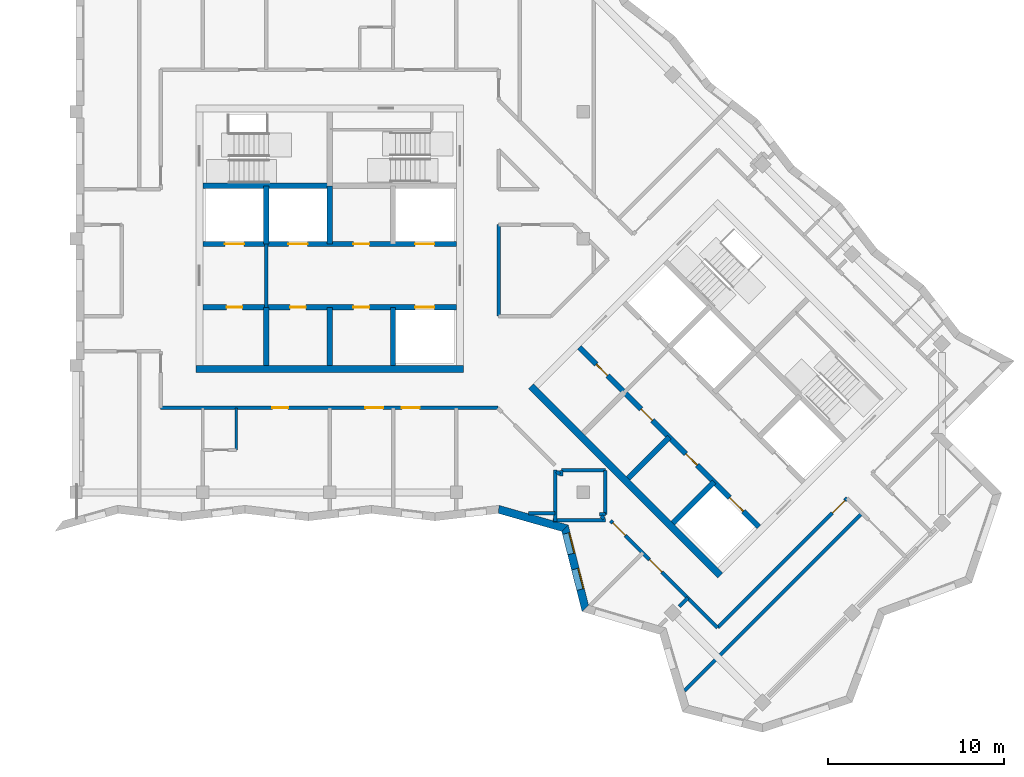
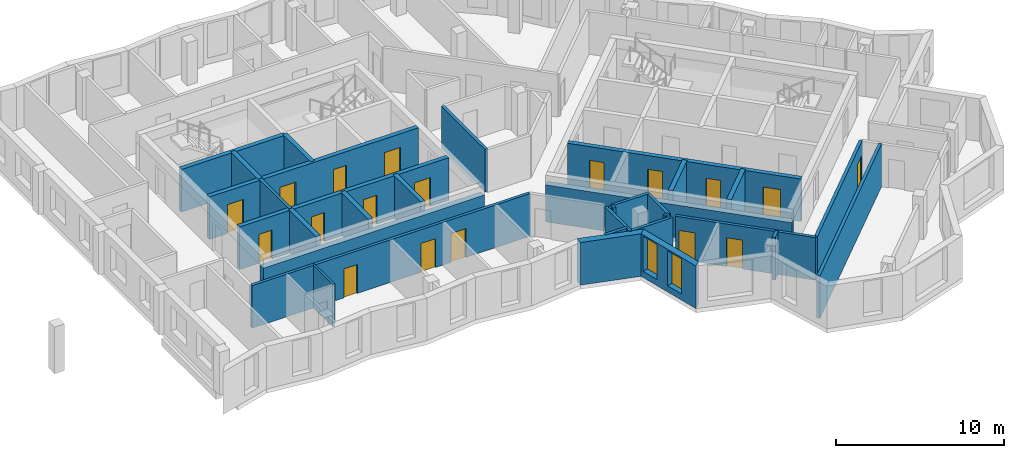
# One storey, part 3 of 12: 32 walls, 18 doors, 2 windows, 20 openings.
"""IFC4 building model written with IfcOpenShell, lengths in metres."""

from ifc_helpers import new_model, si_unit, direction, frame, frame_2d, origin, place, context, subcontext, project, spatial, polyline, rectangle, outline, extrude, material, layer, layer_set, type_object, element, fill, save


model = new_model("IFC4")

# Units and contexts
model_context = context("Model", 3, precision=1e-05, world=origin(), true_north=direction((0.0, 1.0)))
body_context = subcontext(model_context, "Body", "Model", "MODEL_VIEW")
ifc_project = project(units=[si_unit("LENGTHUNIT", "METRE"), si_unit("AREAUNIT", "SQUARE_METRE"), si_unit("VOLUMEUNIT", "CUBIC_METRE"), si_unit("PLANEANGLEUNIT", "RADIAN"), si_unit("MASSUNIT", "GRAM", prefix="KILO")], contexts=[model_context])

# Site, building, storey
site_placement = place(None, origin())
site = spatial("IfcSite", under=ifc_project, at=site_placement, CompositionType="ELEMENT")
building_placement = place(site_placement, origin())
building = spatial("IfcBuilding", under=site, at=building_placement, Name="Windrow Commons", CompositionType="ELEMENT")
storey_placement = place(building_placement, frame((0.0, 0.0, 257.4)))
storey = spatial("IfcBuildingStorey", under=building, at=storey_placement, Name="L70", CompositionType="ELEMENT", Elevation=257.4)

# Wall
ifc_material_1 = material(Name="Brick masonry, red clay brick", Category="masonry")
ifc_layer_1 = layer(ifc_material_1, 0.45)
ifc_layer_set_1 = layer_set([ifc_layer_1], Name="Brick facade wall 450")
wall_type_1 = type_object("IfcWallType", Name="Brick facade wall 450", PredefinedType="SOLIDWALL", material=ifc_layer_set_1)
wall_1_placement = place(storey_placement, frame((74.3981, 42.2287, 0.0), z_axis=(0.0, 0.0, 1.0), x_axis=(0.961995937, -0.2730637604, 0.0)))
element("IfcWall", 1, at=wall_1_placement, inside=storey, type_object=wall_type_1, Name="Brick facade wall L70 45", PredefinedType="SOLIDWALL", context=body_context, shape_type="SweptSolid", body=[
    extrude(outline(polyline([(0.0448, -0.225), (3.784, -0.225), (4.0434, 0.225), (-0.0448, 0.225), (0.0448, -0.225)])), origin(), (0.0, 0.0, 1.0), 3.1),
])

# Wall, openings, windows
wall_2_placement = place(storey_placement, frame((78.1631, 41.16, 0.0), z_axis=(0.0, 0.0, 1.0), x_axis=(0.2459778521, -0.9692754491, 0.0)))
wall_2 = element("IfcWall", 2, at=wall_2_placement, inside=storey, type_object=wall_type_1, Name="Brick facade wall L70 46", PredefinedType="SOLIDWALL", context=body_context, shape_type="SweptSolid", body=[
    extrude(outline(polyline([(0.1297, -0.225), (4.8223, -0.225), (4.5657, 0.225), (-0.1297, 0.225), (0.1297, -0.225)])), origin(), (0.0, 0.0, 1.0), 3.1),
])
opening_1_placement = place(wall_2_placement, frame((0.3047, 0.0, 0.45)))
opening_1 = element("IfcOpeningElement", 3, at=opening_1_placement, cuts=wall_2, Name="Opening W7F", PredefinedType="OPENING", context=body_context, shape_type="SweptSolid", body=[
    extrude(rectangle(XDim=1.2, YDim=2.55, at=frame_2d((0.6, 1.275))), frame((0.0, 0.235, 0.0), z_axis=(0.0, -1.0, 0.0), x_axis=(1.0, 0.0, 0.0)), (0.0, 0.0, 1.0), 0.47),
])
opening_2_placement = place(wall_2_placement, frame((2.3876, 0.0, 0.45)))
opening_2 = element("IfcOpeningElement", 4, at=opening_2_placement, cuts=wall_2, Name="Opening W7F", PredefinedType="OPENING", context=body_context, shape_type="SweptSolid", body=[
    extrude(rectangle(XDim=1.2, YDim=2.55, at=frame_2d((0.6, 1.275))), frame((0.0, 0.235, 0.0), z_axis=(0.0, -1.0, 0.0), x_axis=(1.0, 0.0, 0.0)), (0.0, 0.0, 1.0), 0.47),
])
ifc_material_2 = material(Name="Clear float glass in anodised aluminium frame", Category="aluminium")
window_type = type_object("IfcWindowType", Name="Window W7 notch 1200x2550", PartitioningType="SINGLE_PANEL", PredefinedType="WINDOW", material=ifc_material_2)
window_1_placement = place(opening_1_placement, origin())
window_1 = element("IfcWindow", 5, at=window_1_placement, inside=storey, type_object=window_type, Name="Window L70 46.1", OverallHeight=2.55, OverallWidth=1.2, PartitioningType="SINGLE_PANEL", PredefinedType="WINDOW", context=body_context, shape_type="SweptSolid", body=[
    extrude(rectangle(XDim=1.2, YDim=2.55, at=frame_2d((0.6, 1.275))), frame((0.0, 0.205, 0.0), z_axis=(0.0, -1.0, 0.0), x_axis=(1.0, 0.0, 0.0)), (0.0, 0.0, 1.0), 0.06),
])
fill(opening_1, window_1)
window_2_placement = place(opening_2_placement, origin())
window_2 = element("IfcWindow", 6, at=window_2_placement, inside=storey, type_object=window_type, Name="Window L70 46.2", OverallHeight=2.55, OverallWidth=1.2, PartitioningType="SINGLE_PANEL", PredefinedType="WINDOW", context=body_context, shape_type="SweptSolid", body=[
    extrude(rectangle(XDim=1.2, YDim=2.55, at=frame_2d((0.6, 1.275))), frame((0.0, 0.205, 0.0), z_axis=(0.0, -1.0, 0.0), x_axis=(1.0, 0.0, 0.0)), (0.0, 0.0, 1.0), 0.06),
])
fill(opening_2, window_2)

# Wall
ifc_material_3 = material(Name="Blockwork partition", Category="masonry")
ifc_layer_2 = layer(ifc_material_3, 0.2)
ifc_layer_set_2 = layer_set([ifc_layer_2], Name="Fire lobby partition 200")
wall_type_2 = type_object("IfcWallType", Name="Fire lobby partition 200", PredefinedType="PARTITIONING", material=ifc_layer_set_2)
wall_3_placement = place(storey_placement, frame((61.2, 53.7, 0.0), z_axis=(0.0, 0.0, 1.0), x_axis=(0.0, 1.0, 0.0)))
element("IfcWall", 7, at=wall_3_placement, inside=storey, type_object=wall_type_2, Name="W-core-lobby-A-L70", PredefinedType="PARTITIONING", context=body_context, shape_type="SweptSolid", body=[
    extrude(rectangle(XDim=3.6, YDim=0.2, at=frame_2d((1.8, 0.0))), origin(), (0.0, 0.0, 1.0), 3.1),
])

# Wall, openings, doors
ifc_material_4 = material(Name="Blockwork partition", Category="masonry")
ifc_layer_3 = layer(ifc_material_4, 0.2)
ifc_layer_set_3 = layer_set([ifc_layer_3], Name="IW-CORRIDOR-200")
wall_type_3 = type_object("IfcWallType", Name="IW-CORRIDOR-200", PredefinedType="PARTITIONING", material=ifc_layer_set_3)
wall_4_placement = place(storey_placement, frame((55.2, 48.0, 0.0), z_axis=(0.0, 0.0, 1.0), x_axis=(1.0, 0.0, 0.0)))
wall_4 = element("IfcWall", 8, at=wall_4_placement, inside=storey, type_object=wall_type_3, Name="W-L70-W001", PredefinedType="PARTITIONING", context=body_context, shape_type="SweptSolid", body=[
    extrude(rectangle(XDim=19.15, YDim=0.2, at=frame_2d((9.575, 0.0))), origin(), (0.0, 0.0, 1.0), 3.1),
])
opening_3_placement = place(wall_4_placement, frame((6.3434, 0.0, 0.0)))
opening_3 = element("IfcOpeningElement", 9, at=opening_3_placement, cuts=wall_4, Name="Opening D109F", PredefinedType="OPENING", context=body_context, shape_type="SweptSolid", body=[
    extrude(rectangle(XDim=0.9, YDim=2.1, at=frame_2d((0.45, 1.05))), frame((0.0, 0.11, 0.0), z_axis=(0.0, -1.0, 0.0), x_axis=(1.0, 0.0, 0.0)), (0.0, 0.0, 1.0), 0.22),
])
opening_4_placement = place(wall_4_placement, frame((11.6325, 0.0, 0.0)))
opening_4 = element("IfcOpeningElement", 10, at=opening_4_placement, cuts=wall_4, Name="Opening D310F", PredefinedType="OPENING", context=body_context, shape_type="SweptSolid", body=[
    extrude(rectangle(XDim=1.0, YDim=2.1, at=frame_2d((0.5, 1.05))), frame((0.0, 0.11, 0.0), z_axis=(0.0, -1.0, 0.0), x_axis=(1.0, 0.0, 0.0)), (0.0, 0.0, 1.0), 0.22),
])
opening_5_placement = place(wall_4_placement, frame((13.7075, 0.0, 0.0)))
opening_5 = element("IfcOpeningElement", 11, at=opening_5_placement, cuts=wall_4, Name="Opening D310F", PredefinedType="OPENING", context=body_context, shape_type="SweptSolid", body=[
    extrude(rectangle(XDim=1.0, YDim=2.1, at=frame_2d((0.5, 1.05))), frame((0.0, 0.11, 0.0), z_axis=(0.0, -1.0, 0.0), x_axis=(1.0, 0.0, 0.0)), (0.0, 0.0, 1.0), 0.22),
])
ifc_material_5 = material(Name="Timber door leaf", Category="wood")
door_type_1 = type_object("IfcDoorType", Name="DT-AMENITY-1000", OperationType="SINGLE_SWING_LEFT", PredefinedType="DOOR", material=ifc_material_5)
door_1_placement = place(opening_4_placement, origin())
door_1 = element("IfcDoor", 12, at=door_1_placement, inside=storey, type_object=door_type_1, Name="D-L70-D004", OperationType="SINGLE_SWING_LEFT", OverallHeight=2.1, OverallWidth=1.0, PredefinedType="DOOR", context=body_context, shape_type="SweptSolid", body=[
    extrude(rectangle(XDim=1.0, YDim=2.1, at=frame_2d((0.5, 1.05))), frame((0.0, 0.025, 0.0), z_axis=(0.0, -1.0, 0.0), x_axis=(1.0, 0.0, 0.0)), (0.0, 0.0, 1.0), 0.05),
])
fill(opening_4, door_1)
door_2_placement = place(opening_5_placement, origin())
door_2 = element("IfcDoor", 13, at=door_2_placement, inside=storey, type_object=door_type_1, Name="D-L70-D005", OperationType="SINGLE_SWING_RIGHT", OverallHeight=2.1, OverallWidth=1.0, PredefinedType="DOOR", context=body_context, shape_type="SweptSolid", body=[
    extrude(rectangle(XDim=1.0, YDim=2.1, at=frame_2d((0.5, 1.05))), frame((0.0, 0.025, 0.0), z_axis=(0.0, -1.0, 0.0), x_axis=(1.0, 0.0, 0.0)), (0.0, 0.0, 1.0), 0.05),
])
fill(opening_5, door_2)
ifc_material_6 = material(Name="Timber door leaf", Category="wood")
door_type_2 = type_object("IfcDoorType", Name="DT-BEDROOM-900", OperationType="SINGLE_SWING_LEFT", PredefinedType="DOOR", material=ifc_material_6)
door_3_placement = place(opening_3_placement, origin())
door_3 = element("IfcDoor", 14, at=door_3_placement, inside=storey, type_object=door_type_2, Name="D-L70-D002", OperationType="SINGLE_SWING_LEFT", OverallHeight=2.1, OverallWidth=0.9, PredefinedType="DOOR", context=body_context, shape_type="SweptSolid", body=[
    extrude(rectangle(XDim=0.9, YDim=2.1, at=frame_2d((0.45, 1.05))), frame((0.0, 0.025, 0.0), z_axis=(0.0, -1.0, 0.0), x_axis=(1.0, 0.0, 0.0)), (0.0, 0.0, 1.0), 0.05),
])
fill(opening_3, door_3)

# Wall, opening, door
wall_5_placement = place(storey_placement, frame((86.8359, 35.5141, 0.0), z_axis=(0.0, 0.0, 1.0), x_axis=(0.7071067812, 0.7071067812, 0.0)))
wall_5 = element("IfcWall", 15, at=wall_5_placement, inside=storey, type_object=wall_type_3, Name="W-L70-W006", PredefinedType="PARTITIONING", context=body_context, shape_type="SweptSolid", body=[
    extrude(rectangle(XDim=10.4001, YDim=0.2, at=frame_2d((5.2001, 0.0))), origin(), (0.0, 0.0, 1.0), 3.1),
])
opening_6_placement = place(wall_5_placement, frame((9.2073, 0.0, 0.0)))
opening_6 = element("IfcOpeningElement", 16, at=opening_6_placement, cuts=wall_5, Name="Opening D310F", PredefinedType="OPENING", context=body_context, shape_type="SweptSolid", body=[
    extrude(rectangle(XDim=1.0, YDim=2.1, at=frame_2d((0.5, 1.05))), frame((0.0, 0.11, 0.0), z_axis=(0.0, -1.0, 0.0), x_axis=(1.0, 0.0, 0.0)), (0.0, 0.0, 1.0), 0.22),
])
door_4_placement = place(opening_6_placement, origin())
door_4 = element("IfcDoor", 17, at=door_4_placement, inside=storey, type_object=door_type_1, Name="D-L70-D027", OperationType="SINGLE_SWING_RIGHT", OverallHeight=2.1, OverallWidth=1.0, PredefinedType="DOOR", context=body_context, shape_type="SweptSolid", body=[
    extrude(rectangle(XDim=1.0, YDim=2.1, at=frame_2d((0.5, 1.05))), frame((0.0, 0.025, 0.0), z_axis=(0.0, -1.0, 0.0), x_axis=(1.0, 0.0, 0.0)), (0.0, 0.0, 1.0), 0.05),
])
fill(opening_6, door_4)

# Wall, openings, doors
wall_6_placement = place(storey_placement, frame((80.7468, 41.5968, 0.0), z_axis=(0.0, 0.0, 1.0), x_axis=(0.7071067812, -0.7071067812, 0.0)))
wall_6 = element("IfcWall", 18, at=wall_6_placement, inside=storey, type_object=wall_type_3, Name="W-L70-W009", PredefinedType="PARTITIONING", context=body_context, shape_type="SweptSolid", body=[
    extrude(rectangle(XDim=8.6069, YDim=0.2, at=frame_2d((4.3034, 0.0))), origin(), (0.0, 0.0, 1.0), 3.1),
])
opening_7_placement = place(wall_6_placement, frame((0.1948, 0.0, 0.0)))
opening_7 = element("IfcOpeningElement", 19, at=opening_7_placement, cuts=wall_6, Name="Opening D310F", PredefinedType="OPENING", context=body_context, shape_type="SweptSolid", body=[
    extrude(rectangle(XDim=1.0, YDim=2.1, at=frame_2d((0.5, 1.05))), frame((0.0, 0.11, 0.0), z_axis=(0.0, -1.0, 0.0), x_axis=(1.0, 0.0, 0.0)), (0.0, 0.0, 1.0), 0.22),
])
opening_8_placement = place(wall_6_placement, frame((3.1329, 0.0, 0.0)))
opening_8 = element("IfcOpeningElement", 20, at=opening_8_placement, cuts=wall_6, Name="Opening D410F", PredefinedType="OPENING", context=body_context, shape_type="SweptSolid", body=[
    extrude(rectangle(XDim=1.0, YDim=2.1, at=frame_2d((0.5, 1.05))), frame((0.0, 0.11, 0.0), z_axis=(0.0, -1.0, 0.0), x_axis=(1.0, 0.0, 0.0)), (0.0, 0.0, 1.0), 0.22),
])
door_5_placement = place(opening_7_placement, origin())
door_5 = element("IfcDoor", 21, at=door_5_placement, inside=storey, type_object=door_type_1, Name="D-L70-D025", OperationType="SINGLE_SWING_LEFT", OverallHeight=2.1, OverallWidth=1.0, PredefinedType="DOOR", context=body_context, shape_type="SweptSolid", body=[
    extrude(rectangle(XDim=1.0, YDim=2.1, at=frame_2d((0.5, 1.05))), frame((0.0, 0.025, 0.0), z_axis=(0.0, -1.0, 0.0), x_axis=(1.0, 0.0, 0.0)), (0.0, 0.0, 1.0), 0.05),
])
fill(opening_7, door_5)
ifc_material_7 = material(Name="Timber door leaf", Category="wood")
door_type_3 = type_object("IfcDoorType", Name="DT-SERVICE-1000", OperationType="SINGLE_SWING_LEFT", PredefinedType="DOOR", material=ifc_material_7)
door_6_placement = place(opening_8_placement, origin())
door_6 = element("IfcDoor", 22, at=door_6_placement, inside=storey, type_object=door_type_3, Name="D-L70-D026", OperationType="SINGLE_SWING_LEFT", OverallHeight=2.1, OverallWidth=1.0, PredefinedType="DOOR", context=body_context, shape_type="SweptSolid", body=[
    extrude(rectangle(XDim=1.0, YDim=2.1, at=frame_2d((0.5, 1.05))), frame((0.0, 0.025, 0.0), z_axis=(0.0, -1.0, 0.0), x_axis=(1.0, 0.0, 0.0)), (0.0, 0.0, 1.0), 0.05),
])
fill(opening_8, door_6)

# Walls
wall_7_placement = place(storey_placement, frame((74.4, 53.202, 0.0), z_axis=(0.0, 0.0, 1.0), x_axis=(0.0, 1.0, 0.0)))
element("IfcWall", 23, at=wall_7_placement, inside=storey, type_object=wall_type_3, Name="W-L70-W019", PredefinedType="PARTITIONING", context=body_context, shape_type="SweptSolid", body=[
    extrude(rectangle(XDim=5.198, YDim=0.2, at=frame_2d((2.599, 0.0))), origin(), (0.0, 0.0, 1.0), 3.1),
])
for number, where, z_axis, x_axis, name in (
    (24, (80.45, 41.952, 0.0), (0.0, 0.0, 1.0), (0.0, 1.0, 0.0), "W-L70-W046"),
    (25, (77.952, 44.45, 0.0), (0.0, 0.0, 1.0), (1.0, 0.0, 0.0), "W-L70-W047"),
):
    element("IfcWall", number, at=place(storey_placement, frame(where, z_axis=z_axis, x_axis=x_axis)), inside=storey, type_object=wall_type_3, Name=name, PredefinedType="PARTITIONING", context=body_context, shape_type="SweptSolid", body=[
        extrude(rectangle(XDim=2.498, YDim=0.2, at=frame_2d((1.249, 0.0))), origin(), (0.0, 0.0, 1.0), 3.1),
    ])
for number, where, z_axis, x_axis, name in (
    (26, (80.2205, 41.8545, 0.0), (0.0, 0.0, 1.0), (0.7068844555, -0.707329037, 0.0), "W-L70-W092"),
    (27, (77.6954, 44.3795, 0.0), (0.0, 0.0, 1.0), (0.707329037, -0.7068844555, 0.0), "W-L70-W093"),
):
    element("IfcWall", number, at=place(storey_placement, frame(where, z_axis=z_axis, x_axis=x_axis)), inside=storey, type_object=wall_type_3, Name=name, PredefinedType="PARTITIONING", context=body_context, shape_type="SweptSolid", body=[
        extrude(rectangle(XDim=0.2249, YDim=0.2, at=frame_2d((0.1124, 0.0))), origin(), (0.0, 0.0, 1.0), 3.1),
    ])
for number, where, z_axis, x_axis, name in (
    (28, (80.118, 41.95, 0.0), (0.0, 0.0, 1.0), (1.0, 0.0, 0.0), "W-L70-W102"),
    (29, (77.95, 44.118, 0.0), (0.0, 0.0, 1.0), (0.0, 1.0, 0.0), "W-L70-W103"),
):
    element("IfcWall", number, at=place(storey_placement, frame(where, z_axis=z_axis, x_axis=x_axis)), inside=storey, type_object=wall_type_3, Name=name, PredefinedType="PARTITIONING", context=body_context, shape_type="SweptSolid", body=[
        extrude(rectangle(XDim=0.332, YDim=0.2, at=frame_2d((0.166, 0.0))), origin(), (0.0, 0.0, 1.0), 3.1),
    ])
ifc_material_8 = material(Name="Blockwork partition", Category="masonry")
ifc_layer_4 = layer(ifc_material_8, 0.15)
ifc_layer_set_4 = layer_set([ifc_layer_4], Name="IW-ENSUITE-150")
wall_type_4 = type_object("IfcWallType", Name="IW-ENSUITE-150", PredefinedType="PARTITIONING", material=ifc_layer_set_4)
wall_8_placement = place(storey_placement, frame((59.5, 45.6, 0.0), z_axis=(0.0, 0.0, 1.0), x_axis=(0.0, 1.0, 0.0)))
element("IfcWall", 30, at=wall_8_placement, inside=storey, type_object=wall_type_4, Name="W-L70-W049", PredefinedType="PARTITIONING", context=body_context, shape_type="SweptSolid", body=[
    extrude(rectangle(XDim=2.4, YDim=0.15, at=frame_2d((1.2, 0.0))), origin(), (0.0, 0.0, 1.0), 3.1),
])
ifc_material_9 = material(Name="Blockwork partition", Category="masonry")
ifc_layer_5 = layer(ifc_material_9, 0.2)
ifc_layer_set_5 = layer_set([ifc_layer_5], Name="IW-PARTY-200")
wall_type_5 = type_object("IfcWallType", Name="IW-PARTY-200", PredefinedType="PARTITIONING", material=ifc_layer_set_5)
wall_9_placement = place(storey_placement, frame((84.9488, 31.9324, 0.0), z_axis=(0.0, 0.0, 1.0), x_axis=(0.7071768688, 0.7070366866, 0.0)))
element("IfcWall", 31, at=wall_9_placement, inside=storey, type_object=wall_type_5, Name="W-L70-W002", PredefinedType="PARTITIONING", context=body_context, shape_type="SweptSolid", body=[
    extrude(rectangle(XDim=14.2672, YDim=0.2, at=frame_2d((7.1336, 0.0))), origin(), (0.0, 0.0, 1.0), 3.1),
])
wall_10_placement = place(storey_placement, frame((77.4871, 41.6, 0.0), z_axis=(0.0, 0.0, 1.0), x_axis=(1.0, 0.0, 0.0)))
element("IfcWall", 32, at=wall_10_placement, inside=storey, type_object=wall_type_5, Name="W-L70-W038", PredefinedType="PARTITIONING", context=body_context, shape_type="SweptSolid", body=[
    extrude(rectangle(XDim=2.9809, YDim=0.2, at=frame_2d((1.4905, 0.0))), origin(), (0.0, 0.0, 1.0), 3.1),
])
wall_11_placement = place(storey_placement, frame((77.6, 41.5538, 0.0), z_axis=(0.0, 0.0, 1.0), x_axis=(0.0, 1.0, 0.0)))
element("IfcWall", 33, at=wall_11_placement, inside=storey, type_object=wall_type_5, Name="W-L70-W044", PredefinedType="PARTITIONING", context=body_context, shape_type="SweptSolid", body=[
    extrude(rectangle(XDim=2.9142, YDim=0.2, at=frame_2d((1.4571, 0.0))), origin(), (0.0, 0.0, 1.0), 3.1),
])
wall_12_placement = place(storey_placement, frame((76.0778, 42.0, 0.0), z_axis=(0.0, 0.0, 1.0), x_axis=(1.0, 0.0, 0.0)))
element("IfcWall", 34, at=wall_12_placement, inside=storey, type_object=wall_type_5, Name="W-L70-W072", PredefinedType="PARTITIONING", context=body_context, shape_type="SweptSolid", body=[
    extrude(rectangle(XDim=1.5222, YDim=0.2, at=frame_2d((0.7611, 0.0))), origin(), (0.0, 0.0, 1.0), 3.1),
])
wall_13_placement = place(storey_placement, frame((84.6408, 36.7132, 0.0), z_axis=(0.0, 0.0, 1.0), x_axis=(0.7071067812, 0.7071067812, 0.0)))
element("IfcWall", 35, at=wall_13_placement, inside=storey, type_object=wall_type_5, Name="W-L70-W083", PredefinedType="PARTITIONING", context=body_context, shape_type="SweptSolid", body=[
    extrude(rectangle(XDim=0.7043, YDim=0.2, at=frame_2d((0.3522, 0.0))), origin(), (0.0, 0.0, 1.0), 3.1),
])
ifc_material_10 = material(Name="Concrete C40/50", Category="concrete")
ifc_layer_6 = layer(ifc_material_10, 0.4)
ifc_layer_set_6 = layer_set([ifc_layer_6], Name="RC CORE WALL 400 C40/50")
wall_type_6 = type_object("IfcWallType", Name="RC CORE WALL 400 C40/50", PredefinedType="SHEAR", material=ifc_layer_set_6)
for number, where, z_axis, x_axis, name in (
    (36, (57.2, 50.2, -0.3), (0.0, 0.0, 1.0), (1.0, 0.0, 0.0), "Core A wall outer-S"),
    (37, (76.2302, 49.2312, -0.3), (0.0, 0.0, 1.0), (0.7071034917, -0.7071100706, 0.0), "Core B wall outer-S"),
):
    element("IfcWall", number, at=place(storey_placement, frame(where, z_axis=z_axis, x_axis=x_axis)), inside=storey, type_object=wall_type_6, Name=name, PredefinedType="SHEAR", context=body_context, shape_type="SweptSolid", body=[
        extrude(rectangle(XDim=15.2, YDim=0.4, at=frame_2d((7.6, 0.0))), origin(), (0.0, 0.0, 1.0), 2.7),
    ])
ifc_material_11 = material(Name="Concrete C40/50", Category="concrete")
ifc_layer_7 = layer(ifc_material_11, 0.3)
ifc_layer_set_7 = layer_set([ifc_layer_7], Name="RC SHAFT WALL 300 C40/50")
wall_type_7 = type_object("IfcWallType", Name="RC SHAFT WALL 300 C40/50", PredefinedType="SOLIDWALL", material=ifc_layer_set_7)
for number, where, z_axis, x_axis, name in (
    (38, (61.2, 50.4, 0.0), (0.0, 0.0, 1.0), (0.0, 1.0, 0.0), "Core A wall shaft-S1"),
    (39, (61.2, 57.3, 0.0), (0.0, 0.0, 1.0), (0.0, 1.0, 0.0), "Core A wall shaft-N1"),
    (40, (64.8, 50.4, 0.0), (0.0, 0.0, 1.0), (0.0, 1.0, 0.0), "Core A wall shaft-S2"),
    (41, (64.8, 57.3, 0.0), (0.0, 0.0, 1.0), (0.0, 1.0, 0.0), "Core A wall shaft-N2"),
    (42, (68.4, 50.4, 0.0), (0.0, 0.0, 1.0), (0.0, 1.0, 0.0), "Core A wall shaft-S3"),
):
    element("IfcWall", number, at=place(storey_placement, frame(where, z_axis=z_axis, x_axis=x_axis)), inside=storey, type_object=wall_type_7, Name=name, PredefinedType="SOLIDWALL", context=body_context, shape_type="SweptSolid", body=[
        extrude(rectangle(XDim=3.3, YDim=0.3, at=frame_2d((1.65, 0.0))), origin(), (0.0, 0.0, 1.0), 3.1),
    ])

# Wall, openings, doors
wall_14_placement = place(storey_placement, frame((57.6, 53.7, 0.0), z_axis=(0.0, 0.0, 1.0), x_axis=(1.0, 0.0, 0.0)))
wall_14 = element("IfcWall", 43, at=wall_14_placement, inside=storey, type_object=wall_type_7, Name="Core A wall lobby-S", PredefinedType="SOLIDWALL", context=body_context, shape_type="SweptSolid", body=[
    extrude(rectangle(XDim=14.4, YDim=0.3, at=frame_2d((7.2, 0.0))), origin(), (0.0, 0.0, 1.0), 3.1),
])
opening_9_placement = place(wall_14_placement, frame((1.35, 0.0, 0.0)))
opening_9 = element("IfcOpeningElement", 44, at=opening_9_placement, cuts=wall_14, Name="Opening D8", PredefinedType="OPENING", context=body_context, shape_type="SweptSolid", body=[
    extrude(rectangle(XDim=0.9, YDim=2.1, at=frame_2d((0.45, 1.05))), frame((0.0, 0.16, 0.0), z_axis=(0.0, -1.0, 0.0), x_axis=(1.0, 0.0, 0.0)), (0.0, 0.0, 1.0), 0.32),
])
opening_10_placement = place(wall_14_placement, frame((4.95, 0.0, 0.0)))
opening_10 = element("IfcOpeningElement", 45, at=opening_10_placement, cuts=wall_14, Name="Opening D8", PredefinedType="OPENING", context=body_context, shape_type="SweptSolid", body=[
    extrude(rectangle(XDim=0.9, YDim=2.1, at=frame_2d((0.45, 1.05))), frame((0.0, 0.16, 0.0), z_axis=(0.0, -1.0, 0.0), x_axis=(1.0, 0.0, 0.0)), (0.0, 0.0, 1.0), 0.32),
])
opening_11_placement = place(wall_14_placement, frame((8.55, 0.0, 0.0)))
opening_11 = element("IfcOpeningElement", 46, at=opening_11_placement, cuts=wall_14, Name="Opening D8", PredefinedType="OPENING", context=body_context, shape_type="SweptSolid", body=[
    extrude(rectangle(XDim=0.9, YDim=2.1, at=frame_2d((0.45, 1.05))), frame((0.0, 0.16, 0.0), z_axis=(0.0, -1.0, 0.0), x_axis=(1.0, 0.0, 0.0)), (0.0, 0.0, 1.0), 0.32),
])
opening_12_placement = place(wall_14_placement, frame((12.05, 0.0, 0.0)))
opening_12 = element("IfcOpeningElement", 47, at=opening_12_placement, cuts=wall_14, Name="Opening LD", PredefinedType="OPENING", context=body_context, shape_type="SweptSolid", body=[
    extrude(rectangle(XDim=1.1, YDim=2.1, at=frame_2d((0.55, 1.05))), frame((0.0, 0.16, 0.0), z_axis=(0.0, -1.0, 0.0), x_axis=(1.0, 0.0, 0.0)), (0.0, 0.0, 1.0), 0.32),
])
ifc_material_12 = material(Name="Steel fire door leaf", Category="steel")
door_type_4 = type_object("IfcDoorType", Name="Core store door 900", OperationType="SINGLE_SWING_LEFT", PredefinedType="DOOR", material=ifc_material_12)
door_7_placement = place(opening_9_placement, origin())
door_7 = element("IfcDoor", 48, at=door_7_placement, inside=storey, type_object=door_type_4, Name="Store door", OperationType="SINGLE_SWING_LEFT", OverallHeight=2.1, OverallWidth=0.9, PredefinedType="DOOR", context=body_context, shape_type="SweptSolid", body=[
    extrude(rectangle(XDim=0.9, YDim=2.1, at=frame_2d((0.45, 1.05))), frame((0.0, 0.025, 0.0), z_axis=(0.0, -1.0, 0.0), x_axis=(1.0, 0.0, 0.0)), (0.0, 0.0, 1.0), 0.05),
])
fill(opening_9, door_7)
door_8_placement = place(opening_10_placement, origin())
door_8 = element("IfcDoor", 49, at=door_8_placement, inside=storey, type_object=door_type_4, Name="Store door", OperationType="SINGLE_SWING_LEFT", OverallHeight=2.1, OverallWidth=0.9, PredefinedType="DOOR", context=body_context, shape_type="SweptSolid", body=[
    extrude(rectangle(XDim=0.9, YDim=2.1, at=frame_2d((0.45, 1.05))), frame((0.0, 0.025, 0.0), z_axis=(0.0, -1.0, 0.0), x_axis=(1.0, 0.0, 0.0)), (0.0, 0.0, 1.0), 0.05),
])
fill(opening_10, door_8)
door_9_placement = place(opening_11_placement, origin())
door_9 = element("IfcDoor", 50, at=door_9_placement, inside=storey, type_object=door_type_4, Name="Store door", OperationType="SINGLE_SWING_LEFT", OverallHeight=2.1, OverallWidth=0.9, PredefinedType="DOOR", context=body_context, shape_type="SweptSolid", body=[
    extrude(rectangle(XDim=0.9, YDim=2.1, at=frame_2d((0.45, 1.05))), frame((0.0, 0.025, 0.0), z_axis=(0.0, -1.0, 0.0), x_axis=(1.0, 0.0, 0.0)), (0.0, 0.0, 1.0), 0.05),
])
fill(opening_11, door_9)
ifc_material_13 = material(Name="Stainless steel door leaf", Category="steel")
door_type_5 = type_object("IfcDoorType", Name="Lift landing door 1100", OperationType="SLIDING_TO_LEFT", PredefinedType="DOOR", material=ifc_material_13)
door_10_placement = place(opening_12_placement, origin())
door_10 = element("IfcDoor", 51, at=door_10_placement, inside=storey, type_object=door_type_5, Name="Lift landing door", OperationType="SLIDING_TO_RIGHT", OverallHeight=2.1, OverallWidth=1.1, PredefinedType="DOOR", context=body_context, shape_type="SweptSolid", body=[
    extrude(rectangle(XDim=1.1, YDim=2.1, at=frame_2d((0.55, 1.05))), frame((0.0, 0.025, 0.0), z_axis=(0.0, -1.0, 0.0), x_axis=(1.0, 0.0, 0.0)), (0.0, 0.0, 1.0), 0.05),
])
fill(opening_12, door_10)

wall_15_placement = place(storey_placement, frame((57.6, 57.3, 0.0), z_axis=(0.0, 0.0, 1.0), x_axis=(1.0, 0.0, 0.0)))
wall_15 = element("IfcWall", 52, at=wall_15_placement, inside=storey, type_object=wall_type_7, Name="Core A wall lobby-N", PredefinedType="SOLIDWALL", context=body_context, shape_type="SweptSolid", body=[
    extrude(rectangle(XDim=14.4, YDim=0.3, at=frame_2d((7.2, 0.0))), origin(), (0.0, 0.0, 1.0), 3.1),
])
opening_13_placement = place(wall_15_placement, frame((8.55, 0.0, 0.0)))
opening_13 = element("IfcOpeningElement", 53, at=opening_13_placement, cuts=wall_15, Name="Opening D8", PredefinedType="OPENING", context=body_context, shape_type="SweptSolid", body=[
    extrude(rectangle(XDim=0.9, YDim=2.1, at=frame_2d((0.45, 1.05))), frame((0.0, 0.16, 0.0), z_axis=(0.0, -1.0, 0.0), x_axis=(1.0, 0.0, 0.0)), (0.0, 0.0, 1.0), 0.32),
])
opening_14_placement = place(wall_15_placement, frame((1.25, 0.0, 0.0)))
opening_14 = element("IfcOpeningElement", 54, at=opening_14_placement, cuts=wall_15, Name="Opening LD", PredefinedType="OPENING", context=body_context, shape_type="SweptSolid", body=[
    extrude(rectangle(XDim=1.1, YDim=2.1, at=frame_2d((0.55, 1.05))), frame((0.0, 0.16, 0.0), z_axis=(0.0, -1.0, 0.0), x_axis=(1.0, 0.0, 0.0)), (0.0, 0.0, 1.0), 0.32),
])
opening_15_placement = place(wall_15_placement, frame((4.85, 0.0, 0.0)))
opening_15 = element("IfcOpeningElement", 55, at=opening_15_placement, cuts=wall_15, Name="Opening LD", PredefinedType="OPENING", context=body_context, shape_type="SweptSolid", body=[
    extrude(rectangle(XDim=1.1, YDim=2.1, at=frame_2d((0.55, 1.05))), frame((0.0, 0.16, 0.0), z_axis=(0.0, -1.0, 0.0), x_axis=(1.0, 0.0, 0.0)), (0.0, 0.0, 1.0), 0.32),
])
opening_16_placement = place(wall_15_placement, frame((12.05, 0.0, 0.0)))
opening_16 = element("IfcOpeningElement", 56, at=opening_16_placement, cuts=wall_15, Name="Opening LD", PredefinedType="OPENING", context=body_context, shape_type="SweptSolid", body=[
    extrude(rectangle(XDim=1.1, YDim=2.1, at=frame_2d((0.55, 1.05))), frame((0.0, 0.16, 0.0), z_axis=(0.0, -1.0, 0.0), x_axis=(1.0, 0.0, 0.0)), (0.0, 0.0, 1.0), 0.32),
])
door_11_placement = place(opening_13_placement, origin())
door_11 = element("IfcDoor", 57, at=door_11_placement, inside=storey, type_object=door_type_4, Name="Store door", OperationType="SINGLE_SWING_LEFT", OverallHeight=2.1, OverallWidth=0.9, PredefinedType="DOOR", context=body_context, shape_type="SweptSolid", body=[
    extrude(rectangle(XDim=0.9, YDim=2.1, at=frame_2d((0.45, 1.05))), frame((0.0, 0.025, 0.0), z_axis=(0.0, -1.0, 0.0), x_axis=(1.0, 0.0, 0.0)), (0.0, 0.0, 1.0), 0.05),
])
fill(opening_13, door_11)
door_12_placement = place(opening_14_placement, origin())
door_12 = element("IfcDoor", 58, at=door_12_placement, inside=storey, type_object=door_type_5, Name="Lift landing door", OperationType="SLIDING_TO_LEFT", OverallHeight=2.1, OverallWidth=1.1, PredefinedType="DOOR", context=body_context, shape_type="SweptSolid", body=[
    extrude(rectangle(XDim=1.1, YDim=2.1, at=frame_2d((0.55, 1.05))), frame((0.0, 0.025, 0.0), z_axis=(0.0, -1.0, 0.0), x_axis=(1.0, 0.0, 0.0)), (0.0, 0.0, 1.0), 0.05),
])
fill(opening_14, door_12)
door_13_placement = place(opening_15_placement, origin())
door_13 = element("IfcDoor", 59, at=door_13_placement, inside=storey, type_object=door_type_5, Name="Lift landing door", OperationType="SLIDING_TO_RIGHT", OverallHeight=2.1, OverallWidth=1.1, PredefinedType="DOOR", context=body_context, shape_type="SweptSolid", body=[
    extrude(rectangle(XDim=1.1, YDim=2.1, at=frame_2d((0.55, 1.05))), frame((0.0, 0.025, 0.0), z_axis=(0.0, -1.0, 0.0), x_axis=(1.0, 0.0, 0.0)), (0.0, 0.0, 1.0), 0.05),
])
fill(opening_15, door_13)
door_14_placement = place(opening_16_placement, origin())
door_14 = element("IfcDoor", 60, at=door_14_placement, inside=storey, type_object=door_type_5, Name="Lift landing door", OperationType="SLIDING_TO_RIGHT", OverallHeight=2.1, OverallWidth=1.1, PredefinedType="DOOR", context=body_context, shape_type="SweptSolid", body=[
    extrude(rectangle(XDim=1.1, YDim=2.1, at=frame_2d((0.55, 1.05))), frame((0.0, 0.025, 0.0), z_axis=(0.0, -1.0, 0.0), x_axis=(1.0, 0.0, 0.0)), (0.0, 0.0, 1.0), 0.05),
])
fill(opening_16, door_14)

# Walls
wall_16_placement = place(storey_placement, frame((57.6, 60.6, 0.0), z_axis=(0.0, 0.0, 1.0), x_axis=(1.0, 0.0, 0.0)))
element("IfcWall", 61, at=wall_16_placement, inside=storey, type_object=wall_type_7, Name="Core A wall stair-S", PredefinedType="SOLIDWALL", context=body_context, shape_type="SweptSolid", body=[
    extrude(rectangle(XDim=7.2, YDim=0.3, at=frame_2d((3.6, 0.0))), origin(), (0.0, 0.0, 1.0), 3.1),
])
for number, where, z_axis, x_axis, name in (
    (62, (81.7456, 43.9986, 0.0), (0.0, 0.0, 1.0), (0.7071067812, 0.7071067812, 0.0), "Core B wall shaft-S2"),
    (63, (84.2912, 41.453, 0.0), (0.0, 0.0, 1.0), (0.7071067812, 0.7071067812, 0.0), "Core B wall shaft-S3"),
):
    element("IfcWall", number, at=place(storey_placement, frame(where, z_axis=z_axis, x_axis=x_axis)), inside=storey, type_object=wall_type_7, Name=name, PredefinedType="SOLIDWALL", context=body_context, shape_type="SweptSolid", body=[
        extrude(rectangle(XDim=3.2999, YDim=0.3, at=frame_2d((1.65, 0.0))), origin(), (0.0, 0.0, 1.0), 3.1),
    ])

# Wall, openings, doors
wall_17_placement = place(storey_placement, frame((78.9879, 51.4232, 0.0), z_axis=(0.0, 0.0, 1.0), x_axis=(0.7071067812, -0.7071067812, 0.0)))
wall_17 = element("IfcWall", 64, at=wall_17_placement, inside=storey, type_object=wall_type_7, Name="Core B wall lobby-S", PredefinedType="SOLIDWALL", context=body_context, shape_type="SweptSolid", body=[
    extrude(rectangle(XDim=14.3999, YDim=0.3, at=frame_2d((7.2, 0.0))), origin(), (0.0, 0.0, 1.0), 3.1),
])
opening_17_placement = place(wall_17_placement, frame((1.35, 0.0, 0.0)))
opening_17 = element("IfcOpeningElement", 65, at=opening_17_placement, cuts=wall_17, Name="Opening D8", PredefinedType="OPENING", context=body_context, shape_type="SweptSolid", body=[
    extrude(rectangle(XDim=0.9, YDim=2.1, at=frame_2d((0.45, 1.05))), frame((0.0, 0.16, 0.0), z_axis=(0.0, -1.0, 0.0), x_axis=(1.0, 0.0, 0.0)), (0.0, 0.0, 1.0), 0.32),
])
opening_18_placement = place(wall_17_placement, frame((4.95, 0.0, 0.0)))
opening_18 = element("IfcOpeningElement", 66, at=opening_18_placement, cuts=wall_17, Name="Opening D8", PredefinedType="OPENING", context=body_context, shape_type="SweptSolid", body=[
    extrude(rectangle(XDim=0.9, YDim=2.1, at=frame_2d((0.45, 1.05))), frame((0.0, 0.16, 0.0), z_axis=(0.0, -1.0, 0.0), x_axis=(1.0, 0.0, 0.0)), (0.0, 0.0, 1.0), 0.32),
])
opening_19_placement = place(wall_17_placement, frame((8.55, 0.0, 0.0)))
opening_19 = element("IfcOpeningElement", 67, at=opening_19_placement, cuts=wall_17, Name="Opening D8", PredefinedType="OPENING", context=body_context, shape_type="SweptSolid", body=[
    extrude(rectangle(XDim=0.9, YDim=2.1, at=frame_2d((0.45, 1.05))), frame((0.0, 0.16, 0.0), z_axis=(0.0, -1.0, 0.0), x_axis=(1.0, 0.0, 0.0)), (0.0, 0.0, 1.0), 0.32),
])
opening_20_placement = place(wall_17_placement, frame((12.05, 0.0, 0.0)))
opening_20 = element("IfcOpeningElement", 68, at=opening_20_placement, cuts=wall_17, Name="Opening LD", PredefinedType="OPENING", context=body_context, shape_type="SweptSolid", body=[
    extrude(rectangle(XDim=1.1, YDim=2.1, at=frame_2d((0.55, 1.05))), frame((0.0, 0.16, 0.0), z_axis=(0.0, -1.0, 0.0), x_axis=(1.0, 0.0, 0.0)), (0.0, 0.0, 1.0), 0.32),
])
door_15_placement = place(opening_17_placement, origin())
door_15 = element("IfcDoor", 69, at=door_15_placement, inside=storey, type_object=door_type_4, Name="Store door", OperationType="SINGLE_SWING_LEFT", OverallHeight=2.1, OverallWidth=0.9, PredefinedType="DOOR", context=body_context, shape_type="SweptSolid", body=[
    extrude(rectangle(XDim=0.9, YDim=2.1, at=frame_2d((0.45, 1.05))), frame((0.0, 0.025, 0.0), z_axis=(0.0, -1.0, 0.0), x_axis=(1.0, 0.0, 0.0)), (0.0, 0.0, 1.0), 0.05),
])
fill(opening_17, door_15)
door_16_placement = place(opening_18_placement, origin())
door_16 = element("IfcDoor", 70, at=door_16_placement, inside=storey, type_object=door_type_4, Name="Store door", OperationType="SINGLE_SWING_LEFT", OverallHeight=2.1, OverallWidth=0.9, PredefinedType="DOOR", context=body_context, shape_type="SweptSolid", body=[
    extrude(rectangle(XDim=0.9, YDim=2.1, at=frame_2d((0.45, 1.05))), frame((0.0, 0.025, 0.0), z_axis=(0.0, -1.0, 0.0), x_axis=(1.0, 0.0, 0.0)), (0.0, 0.0, 1.0), 0.05),
])
fill(opening_18, door_16)
door_17_placement = place(opening_19_placement, origin())
door_17 = element("IfcDoor", 71, at=door_17_placement, inside=storey, type_object=door_type_4, Name="Store door", OperationType="SINGLE_SWING_LEFT", OverallHeight=2.1, OverallWidth=0.9, PredefinedType="DOOR", context=body_context, shape_type="SweptSolid", body=[
    extrude(rectangle(XDim=0.9, YDim=2.1, at=frame_2d((0.45, 1.05))), frame((0.0, 0.025, 0.0), z_axis=(0.0, -1.0, 0.0), x_axis=(1.0, 0.0, 0.0)), (0.0, 0.0, 1.0), 0.05),
])
fill(opening_19, door_17)
door_18_placement = place(opening_20_placement, origin())
door_18 = element("IfcDoor", 72, at=door_18_placement, inside=storey, type_object=door_type_5, Name="Lift landing door", OperationType="SLIDING_TO_RIGHT", OverallHeight=2.1, OverallWidth=1.1, PredefinedType="DOOR", context=body_context, shape_type="SweptSolid", body=[
    extrude(rectangle(XDim=1.1, YDim=2.1, at=frame_2d((0.55, 1.05))), frame((0.0, 0.025, 0.0), z_axis=(0.0, -1.0, 0.0), x_axis=(1.0, 0.0, 0.0)), (0.0, 0.0, 1.0), 0.05),
])
fill(opening_20, door_18)

save(model, "model.ifc")
